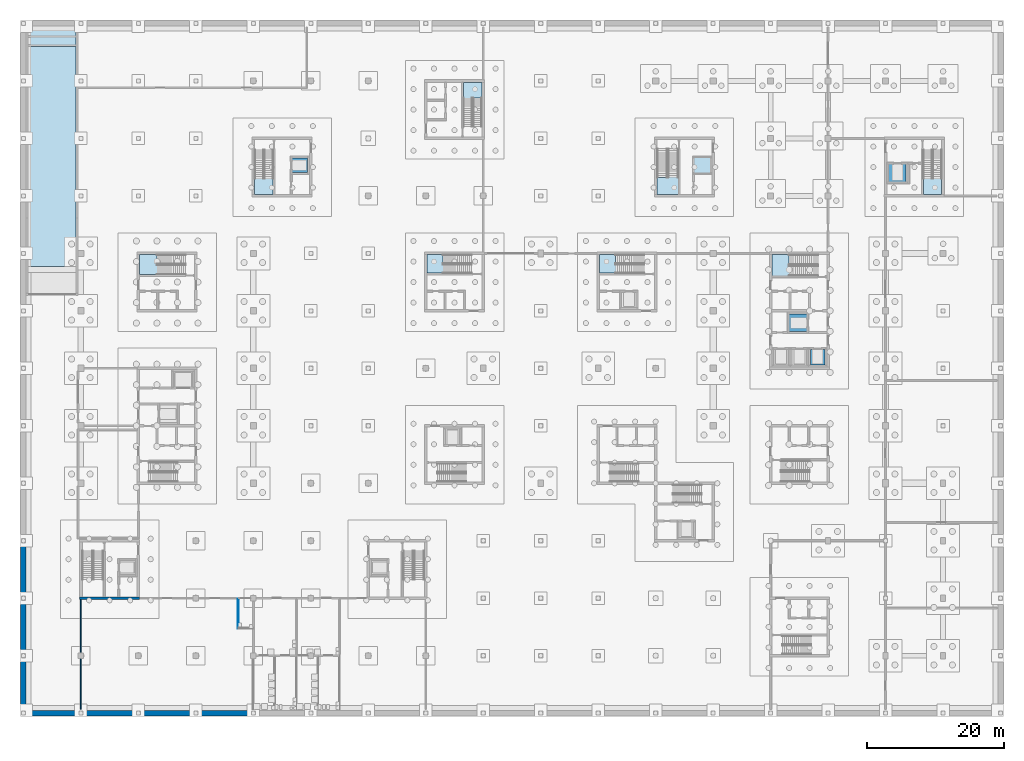
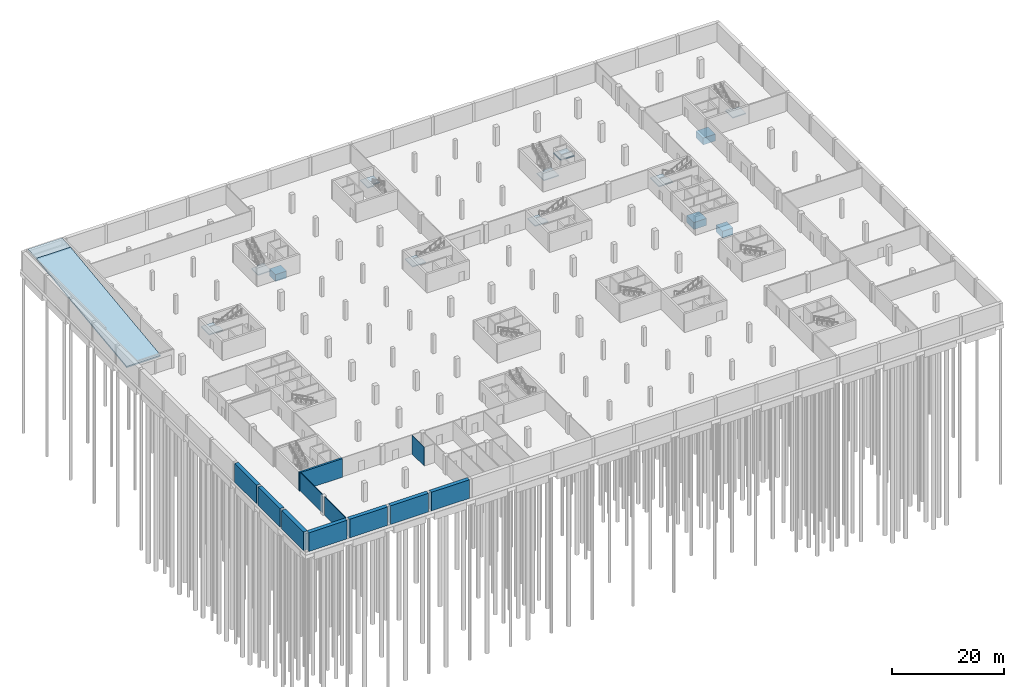
# One storey, part 7 of 23: 15 slabs, 11 walls, 9 elements without a shape of their own.
"""IFC4 building model written with IfcOpenShell, lengths in metres."""

from ifc_helpers import new_model, si_unit, direction, frame, frame_2d, origin, place, context, subcontext, project, spatial, polyline, rectangle, outline, extrude, material, layer, layer_set, type_object, element, aggregate, save


model = new_model("IFC4")

# Units and contexts
model_context = context("Model", 3, precision=1e-05, world=origin(), true_north=direction((0.0, 1.0)))
body_context = subcontext(model_context, "Body", "Model", "MODEL_VIEW")
ifc_project = project(units=[si_unit("LENGTHUNIT", "METRE"), si_unit("AREAUNIT", "SQUARE_METRE"), si_unit("VOLUMEUNIT", "CUBIC_METRE"), si_unit("PLANEANGLEUNIT", "RADIAN"), si_unit("MASSUNIT", "GRAM", prefix="KILO")], contexts=[model_context])

# Site, building, storey
site_placement = place(None, origin())
site = spatial("IfcSite", under=ifc_project, at=site_placement, CompositionType="ELEMENT")
building_placement = place(site_placement, origin())
building = spatial("IfcBuilding", under=site, at=building_placement, Name="Hlaing Beacon Police Headquarters", CompositionType="ELEMENT")
storey_placement = place(building_placement, frame((0.0, 0.0, -4.5)))
storey = spatial("IfcBuildingStorey", under=building, at=storey_placement, Name="B1", CompositionType="ELEMENT", Elevation=-4.5)

# Ramp, slabs
ifc_material_1 = material(Name="Concrete C40/50", Category="concrete")
ramp_type = type_object("IfcRampType", Name="Car ramp", PredefinedType="STRAIGHT_RUN_RAMP", material=ifc_material_1)
ramp_placement = place(storey_placement, origin())
ramp = element("IfcRamp", 1, at=ramp_placement, inside=storey, type_object=ramp_type, Name="Vehicle Ramp to Basement", PredefinedType="STRAIGHT_RUN_RAMP")
ifc_material_2 = material(Name="Concrete C40/50", Category="concrete")
ifc_layer_1 = layer(ifc_material_2, 0.300048828125)
ifc_layer_set_1 = layer_set([ifc_layer_1], Name="Concrete C40/50")
slab_type_1 = type_object("IfcSlabType", Name="Car ramp slab", PredefinedType="FLOOR", material=ifc_layer_set_1)
slab_1_placement = place(storey_placement, frame((0.699951171875, 65.251953125, 0.2939453125), z_axis=(0.0, -0.124036589515, 0.992277644846), x_axis=(0.0, 0.992277644846, 0.124036589515)))
slab_1 = element("IfcSlab", 2, at=slab_1_placement, type_object=slab_type_1, Name="R1 flight", PredefinedType="FLOOR", context=body_context, shape_type="SweptSolid", body=[
    extrude(outline(polyline([(0.0, 0.0), (32.398139155632954, 0.0), (32.398139155632954, -7.0), (0.0, -7.0), (0.0, 0.0)])), origin(), (-0.124036589515, 0.0, -0.992277644846), 0.30224609375),
])
slab_2_placement = place(storey_placement, frame((0.699951171875, 97.39990234375, 4.3125), z_axis=(0.0, -0.062378286155, 0.998052578483), x_axis=(0.0, 0.998052578483, 0.062378286155)))
slab_2 = element("IfcSlab", 3, at=slab_2_placement, type_object=slab_type_1, Name="R1 upper transition", PredefinedType="FLOOR", context=body_context, shape_type="SweptSolid", body=[
    extrude(outline(polyline([(0.0, 0.0), (3.0058536641027622, 0.0), (3.0058536641027622, -7.0), (0.0, -7.0), (0.0, 0.0)])), origin(), (-0.062378286155, 0.0, -0.998052578483), 0.300537109375),
])
aggregate(ramp, [slab_1, slab_2])

# Slabs
ifc_material_3 = material(Name="Concrete C40/50", Category="concrete")
ifc_layer_2 = layer(ifc_material_3, 1.5)
ifc_layer_set_2 = layer_set([ifc_layer_2], Name="Concrete C40/50")
slab_type_2 = type_object("IfcSlabType", Name="Lift pit slab 1500", PredefinedType="BASESLAB", material=ifc_layer_set_2)
slab_3_placement = place(storey_placement, frame((0.0, 0.0, -3.10009765625)))
element("IfcSlab", 4, at=slab_3_placement, inside=storey, type_object=slab_type_2, Name="Lift pit FL1", PredefinedType="BASESLAB", context=body_context, shape_type="SweptSolid", body=[
    extrude(outline(polyline([(111.89990234375, 55.75), (114.5, 55.75), (114.5, 58.35009765625), (111.89990234375, 58.35009765625), (111.89990234375, 55.75)])), origin(), (0.0, 0.0, 1.0), 1.5),
])
slab_4_placement = place(storey_placement, frame((0.0, 0.0, -3.10009765625)))
element("IfcSlab", 5, at=slab_4_placement, inside=storey, type_object=slab_type_2, Name="Lift pit FL3", PredefinedType="BASESLAB", context=body_context, shape_type="SweptSolid", body=[
    extrude(outline(polyline([(126.449951171875, 77.64990234375), (129.0, 77.64990234375), (129.0, 80.25), (126.449951171875, 80.25), (126.449951171875, 77.64990234375)])), origin(), (0.0, 0.0, 1.0), 1.5),
])
slab_5_placement = place(storey_placement, frame((0.0, 0.0, -3.10009765625)))
element("IfcSlab", 6, at=slab_5_placement, inside=storey, type_object=slab_type_2, Name="Lift pit PL3", PredefinedType="BASESLAB", context=body_context, shape_type="SweptSolid", body=[
    extrude(outline(polyline([(39.25, 79.0), (41.550048828125, 79.0), (41.550048828125, 81.14990234375), (39.25, 81.14990234375), (39.25, 79.0)])), origin(), (0.0, 0.0, 1.0), 1.5),
])
slab_6_placement = place(storey_placement, frame((0.0, 0.0, -3.10009765625)))
element("IfcSlab", 7, at=slab_6_placement, inside=storey, type_object=slab_type_2, Name="Lift pit PL9", PredefinedType="BASESLAB", context=body_context, shape_type="SweptSolid", body=[
    extrude(outline(polyline([(115.0, 50.85009765625), (117.14990234375, 50.85009765625), (117.14990234375, 53.14990234375), (115.0, 53.14990234375), (115.0, 50.85009765625)])), origin(), (0.0, 0.0, 1.0), 1.5),
])
ifc_material_4 = material(Name="Concrete C40/50", Category="concrete")
ifc_layer_3 = layer(ifc_material_4, 0.25)
ifc_layer_set_3 = layer_set([ifc_layer_3], Name="Concrete C40/50")
slab_type_3 = type_object("IfcSlabType", Name="Lift pit slab 250", PredefinedType="BASESLAB", material=ifc_layer_set_3)
slab_7_placement = place(storey_placement, frame((0.0, 0.0, 2.85009765625)))
element("IfcSlab", 8, at=slab_7_placement, inside=storey, type_object=slab_type_3, Name="Lift pit DL1", PredefinedType="BASESLAB", context=body_context, shape_type="SweptSolid", body=[
    extrude(outline(polyline([(97.800048828125, 78.75), (100.60009765625, 78.75), (100.60009765625, 81.39990234375), (97.800048828125, 81.39990234375), (97.800048828125, 78.75)])), origin(), (0.0, 0.0, 1.0), 0.25),
])

# Stair, slab
ifc_material_5 = material(Name="Concrete C40/50", Category="concrete")
stair_type_1 = type_object("IfcStairType", Name="Half-turn stair 1300 wide, 4500 rise", PredefinedType="HALF_TURN_STAIR", material=ifc_material_5)
stair_1_placement = place(storey_placement, origin())
stair_1 = element("IfcStair", 9, at=stair_1_placement, inside=storey, type_object=stair_type_1, Name="Stair ST-B", PredefinedType="HALF_TURN_STAIR")
ifc_material_6 = material(Name="Concrete C40/50", Category="concrete")
ifc_layer_4 = layer(ifc_material_6, 0.219970703125)
ifc_layer_set_4 = layer_set([ifc_layer_4], Name="Concrete C40/50")
slab_type_4 = type_object("IfcSlabType", Name="Stair landing 220", PredefinedType="LANDING", material=ifc_layer_set_4)
slab_8_placement = place(storey_placement, frame((0.0, 0.0, 2.030029296875)))
slab_8 = element("IfcSlab", 10, at=slab_8_placement, type_object=slab_type_4, Name="ST-B landing 1", PredefinedType="LANDING", context=body_context, shape_type="SweptSolid", body=[
    extrude(outline(polyline([(61.31005859375, 67.0), (59.0, 67.0), (59.0, 64.300048828125), (61.699951171875, 64.300048828125), (61.699951171875, 65.60009765625), (61.31005859375, 65.60009765625), (61.31005859375, 67.0)])), origin(), (0.0, 0.0, 1.0), 0.219970703125),
])
aggregate(stair_1, [slab_8])

stair_2_placement = place(storey_placement, origin())
stair_2 = element("IfcStair", 11, at=stair_2_placement, inside=storey, type_object=stair_type_1, Name="Stair ST-D", PredefinedType="HALF_TURN_STAIR")
slab_9_placement = place(storey_placement, frame((0.0, 0.0, 2.030029296875)))
slab_9 = element("IfcSlab", 12, at=slab_9_placement, type_object=slab_type_4, Name="ST-D landing 1", PredefinedType="LANDING", context=body_context, shape_type="SweptSolid", body=[
    extrude(outline(polyline([(86.510009765625, 67.0), (84.199951171875, 67.0), (84.199951171875, 64.300048828125), (86.89990234375, 64.300048828125), (86.89990234375, 65.60009765625), (86.510009765625, 65.60009765625), (86.510009765625, 67.0)])), origin(), (0.0, 0.0, 1.0), 0.219970703125),
])
aggregate(stair_2, [slab_9])

stair_3_placement = place(storey_placement, origin())
stair_3 = element("IfcStair", 13, at=stair_3_placement, inside=storey, type_object=stair_type_1, Name="Stair ST-E", PredefinedType="HALF_TURN_STAIR")
slab_10_placement = place(storey_placement, frame((0.0, 0.0, 2.030029296875)))
slab_10 = element("IfcSlab", 14, at=slab_10_placement, type_object=slab_type_4, Name="ST-E landing 1", PredefinedType="LANDING", context=body_context, shape_type="SweptSolid", body=[
    extrude(outline(polyline([(33.800048828125, 78.110107421875), (33.800048828125, 75.800048828125), (36.5, 75.800048828125), (36.5, 78.5), (35.199951171875, 78.5), (35.199951171875, 78.110107421875), (33.800048828125, 78.110107421875)])), origin(), (0.0, 0.0, 1.0), 0.219970703125),
])
aggregate(stair_3, [slab_10])

stair_4_placement = place(storey_placement, origin())
stair_4 = element("IfcStair", 15, at=stair_4_placement, inside=storey, type_object=stair_type_1, Name="Stair ST-F", PredefinedType="HALF_TURN_STAIR")
slab_11_placement = place(storey_placement, frame((0.0, 0.0, 2.030029296875)))
slab_11 = element("IfcSlab", 16, at=slab_11_placement, type_object=slab_type_4, Name="ST-F landing 1", PredefinedType="LANDING", context=body_context, shape_type="SweptSolid", body=[
    extrude(outline(polyline([(67.0, 89.889892578125), (67.0, 92.199951171875), (64.300048828125, 92.199951171875), (64.300048828125, 89.5), (65.60009765625, 89.5), (65.60009765625, 89.889892578125), (67.0, 89.889892578125)])), origin(), (0.0, 0.0, 1.0), 0.219970703125),
])
aggregate(stair_4, [slab_11])

ifc_material_7 = material(Name="Concrete C40/50", Category="concrete")
stair_type_2 = type_object("IfcStairType", Name="Half-turn stair 1500 wide, 4500 rise", PredefinedType="HALF_TURN_STAIR", material=ifc_material_7)
stair_5_placement = place(storey_placement, origin())
stair_5 = element("IfcStair", 17, at=stair_5_placement, inside=storey, type_object=stair_type_2, Name="Stair ST-M", PredefinedType="HALF_TURN_STAIR")
slab_12_placement = place(storey_placement, frame((0.0, 0.0, 2.030029296875)))
slab_12 = element("IfcSlab", 18, at=slab_12_placement, type_object=slab_type_4, Name="ST-M landing 1", PredefinedType="LANDING", context=body_context, shape_type="SweptSolid", body=[
    extrude(outline(polyline([(111.909912109375, 67.0), (109.39990234375, 67.0), (109.39990234375, 63.89990234375), (112.300048828125, 63.89990234375), (112.300048828125, 65.39990234375), (111.909912109375, 65.39990234375), (111.909912109375, 67.0)])), origin(), (0.0, 0.0, 1.0), 0.219970703125),
])
aggregate(stair_5, [slab_12])

ifc_material_8 = material(Name="Concrete C40/50", Category="concrete")
stair_type_3 = type_object("IfcStairType", Name="Half-turn stair 1400 wide, 4500 rise", PredefinedType="HALF_TURN_STAIR", material=ifc_material_8)
stair_6_placement = place(storey_placement, origin())
stair_6 = element("IfcStair", 19, at=stair_6_placement, inside=storey, type_object=stair_type_3, Name="Stair ST-P", PredefinedType="HALF_TURN_STAIR")
slab_13_placement = place(storey_placement, frame((0.0, 0.0, 2.030029296875)))
slab_13 = element("IfcSlab", 20, at=slab_13_placement, type_object=slab_type_4, Name="ST-P landing 1", PredefinedType="LANDING", context=body_context, shape_type="SweptSolid", body=[
    extrude(outline(polyline([(19.510009765625, 67.0), (17.0, 67.0), (17.0, 64.10009765625), (19.89990234375, 64.10009765625), (19.89990234375, 65.5), (19.510009765625, 65.5), (19.510009765625, 67.0)])), origin(), (0.0, 0.0, 1.0), 0.219970703125),
])
aggregate(stair_6, [slab_13])

stair_7_placement = place(storey_placement, origin())
stair_7 = element("IfcStair", 21, at=stair_7_placement, inside=storey, type_object=stair_type_2, Name="Stair ST-Q", PredefinedType="HALF_TURN_STAIR")
slab_14_placement = place(storey_placement, frame((0.0, 0.0, 2.030029296875)))
slab_14 = element("IfcSlab", 22, at=slab_14_placement, type_object=slab_type_4, Name="ST-Q landing 1", PredefinedType="LANDING", context=body_context, shape_type="SweptSolid", body=[
    extrude(outline(polyline([(92.60009765625, 78.31005859375), (92.60009765625, 75.800048828125), (95.699951171875, 75.800048828125), (95.699951171875, 78.699951171875), (94.199951171875, 78.699951171875), (94.199951171875, 78.31005859375), (92.60009765625, 78.31005859375)])), origin(), (0.0, 0.0, 1.0), 0.219970703125),
])
aggregate(stair_7, [slab_14])

stair_8_placement = place(storey_placement, origin())
stair_8 = element("IfcStair", 23, at=stair_8_placement, inside=storey, type_object=stair_type_1, Name="Stair ST-R", PredefinedType="HALF_TURN_STAIR")
slab_15_placement = place(storey_placement, frame((0.0, 0.0, 2.030029296875)))
slab_15 = element("IfcSlab", 24, at=slab_15_placement, type_object=slab_type_4, Name="ST-R landing 1", PredefinedType="LANDING", context=body_context, shape_type="SweptSolid", body=[
    extrude(outline(polyline([(134.199951171875, 78.110107421875), (134.199951171875, 75.800048828125), (131.5, 75.800048828125), (131.5, 78.5), (132.800048828125, 78.5), (132.800048828125, 78.110107421875), (134.199951171875, 78.110107421875)])), origin(), (0.0, 0.0, 1.0), 0.219970703125),
])
aggregate(stair_8, [slab_15])

# Walls
ifc_material_9 = material(Name="Concrete C60/75", Category="concrete")
ifc_layer_5 = layer(ifc_material_9, 0.39990234375)
ifc_layer_set_5 = layer_set([ifc_layer_5], Name="Concrete C60/75")
wall_type_1 = type_object("IfcWallType", Name="Core shear wall 400", PredefinedType="SHEAR", material=ifc_layer_set_5)
wall_1_placement = place(storey_placement, frame((8.199951171875, 16.800048828125, 0.0), z_axis=(0.0, 0.0, 1.0), x_axis=(1.0, 0.0, 0.0)))
element("IfcWall", 25, at=wall_1_placement, inside=storey, type_object=wall_type_1, Name="Core shear wall", PredefinedType="SHEAR", context=body_context, shape_type="SweptSolid", body=[
    extrude(rectangle(XDim=8.800048828125, YDim=0.39990234375, at=frame_2d((4.39990234375, 0.0))), origin(), (0.0, 0.0, 1.0), 4.050048828125),
])
ifc_material_10 = material(Name="Gypsum board partition")
ifc_layer_6 = layer(ifc_material_10, 0.14990234375)
ifc_layer_set_6 = layer_set([ifc_layer_6], Name="Gypsum board partition")
wall_type_2 = type_object("IfcWallType", Name="Corridor wall EI 30 150", PredefinedType="PARTITIONING", material=ifc_layer_set_6)
wall_2_placement = place(storey_placement, frame((8.39990234375, 0.550048828125, 0.0), z_axis=(0.0, 0.0, 1.0), x_axis=(0.0, 1.0, 0.0)))
element("IfcWall", 26, at=wall_2_placement, inside=storey, type_object=wall_type_2, Name="Corridor wall EI 30 150", PredefinedType="PARTITIONING", context=body_context, shape_type="SweptSolid", body=[
    extrude(rectangle(XDim=7.449951171875, YDim=0.14990234375, at=frame_2d((3.72509765625, 0.0))), origin(), (0.0, 0.0, 1.0), 4.050048828125),
])
wall_3_placement = place(storey_placement, frame((8.39990234375, 8.800048828125, 0.0), z_axis=(0.0, 0.0, 1.0), x_axis=(0.0, 1.0, 0.0)))
element("IfcWall", 27, at=wall_3_placement, inside=storey, type_object=wall_type_2, Name="Corridor wall EI 30 150", PredefinedType="PARTITIONING", context=body_context, shape_type="SweptSolid", body=[
    extrude(rectangle(XDim=7.800048828125, YDim=0.14990234375, at=frame_2d((3.89990234375, 0.0))), origin(), (0.0, 0.0, 1.0), 4.050048828125),
])
ifc_material_11 = material(Name="Gypsum board partition")
ifc_layer_7 = layer(ifc_material_11, 0.125)
ifc_layer_set_7 = layer_set([ifc_layer_7], Name="Gypsum board partition")
wall_type_3 = type_object("IfcWallType", Name="Partition 125", PredefinedType="PARTITIONING", material=ifc_layer_set_7)
wall_4_placement = place(storey_placement, frame((31.39990234375, 12.337890625, 0.0), z_axis=(0.0, 0.0, 1.0), x_axis=(0.0, 1.0, 0.0)))
element("IfcWall", 28, at=wall_4_placement, inside=storey, type_object=wall_type_3, Name="Partition 125", PredefinedType="PARTITIONING", context=body_context, shape_type="SweptSolid", body=[
    extrude(rectangle(XDim=4.38720703125, YDim=0.125, at=frame_2d((2.193603515625, 0.0))), origin(), (0.0, 0.0, 1.0), 4.050048828125),
])
ifc_material_12 = material(Name="Concrete C50/60", Category="concrete")
ifc_layer_8 = layer(ifc_material_12, 0.800048828125)
ifc_layer_set_8 = layer_set([ifc_layer_8], Name="Concrete C50/60")
wall_type_4 = type_object("IfcWallType", Name="Retaining wall 800", PredefinedType="SOLIDWALL", material=ifc_layer_set_8)
for number, where, z_axis, x_axis, name in (
    (29, (0.300048828125, 0.0, 0.0), (0.0, 0.0, 1.0), (1.0, 0.0, 0.0), "STR-RW-B1-S01"),
    (30, (8.699951171875, 0.0, 0.0), (0.0, 0.0, 1.0), (1.0, 0.0, 0.0), "STR-RW-B1-S02"),
):
    element("IfcWall", number, at=place(storey_placement, frame(where, z_axis=z_axis, x_axis=x_axis)), inside=storey, type_object=wall_type_4, Name=name, PredefinedType="SOLIDWALL", context=body_context, shape_type="SweptSolid", body=[
        extrude(rectangle(XDim=7.800048828125, YDim=0.800048828125, at=frame_2d((3.89990234375, 0.0))), origin(), (0.0, 0.0, 1.0), 4.050048828125),
    ])
wall_5_placement = place(storey_placement, frame((17.10009765625, 0.0, 0.0), z_axis=(0.0, 0.0, 1.0), x_axis=(1.0, 0.0, 0.0)))
element("IfcWall", 31, at=wall_5_placement, inside=storey, type_object=wall_type_4, Name="STR-RW-B1-S03", PredefinedType="SOLIDWALL", context=body_context, shape_type="SweptSolid", body=[
    extrude(rectangle(XDim=7.7998046875, YDim=0.800048828125, at=frame_2d((3.89990234375, 0.0))), origin(), (0.0, 0.0, 1.0), 4.050048828125),
])
for number, where, z_axis, x_axis, name in (
    (32, (25.5, 0.0, 0.0), (0.0, 0.0, 1.0), (1.0, 0.0, 0.0), "STR-RW-B1-S04"),
    (33, (0.0, 0.300048828125, 0.0), (0.0, 0.0, 1.0), (0.0, 1.0, 0.0), "STR-RW-B1-W01"),
    (34, (0.0, 8.699951171875, 0.0), (0.0, 0.0, 1.0), (0.0, 1.0, 0.0), "STR-RW-B1-W02"),
):
    element("IfcWall", number, at=place(storey_placement, frame(where, z_axis=z_axis, x_axis=x_axis)), inside=storey, type_object=wall_type_4, Name=name, PredefinedType="SOLIDWALL", context=body_context, shape_type="SweptSolid", body=[
        extrude(rectangle(XDim=7.800048828125, YDim=0.800048828125, at=frame_2d((3.89990234375, 0.0))), origin(), (0.0, 0.0, 1.0), 4.050048828125),
    ])
wall_6_placement = place(storey_placement, frame((0.0, 17.10009765625, 0.0), z_axis=(0.0, 0.0, 1.0), x_axis=(0.0, 1.0, 0.0)))
element("IfcWall", 35, at=wall_6_placement, inside=storey, type_object=wall_type_4, Name="STR-RW-B1-W03", PredefinedType="SOLIDWALL", context=body_context, shape_type="SweptSolid", body=[
    extrude(rectangle(XDim=7.7998046875, YDim=0.800048828125, at=frame_2d((3.89990234375, 0.0))), origin(), (0.0, 0.0, 1.0), 4.050048828125),
])

save(model, "model.ifc")
